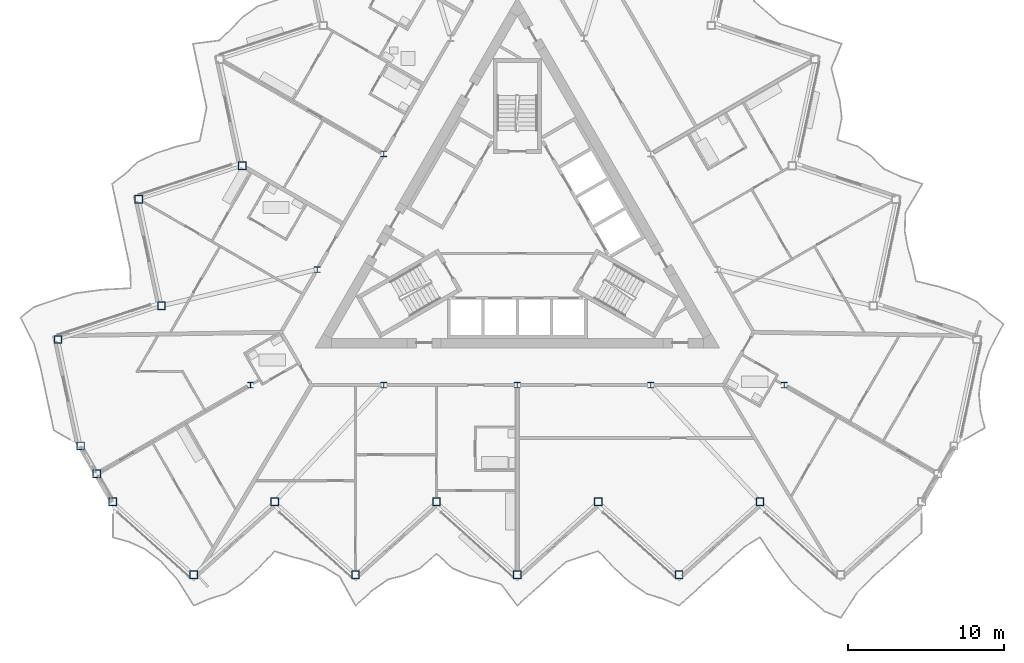
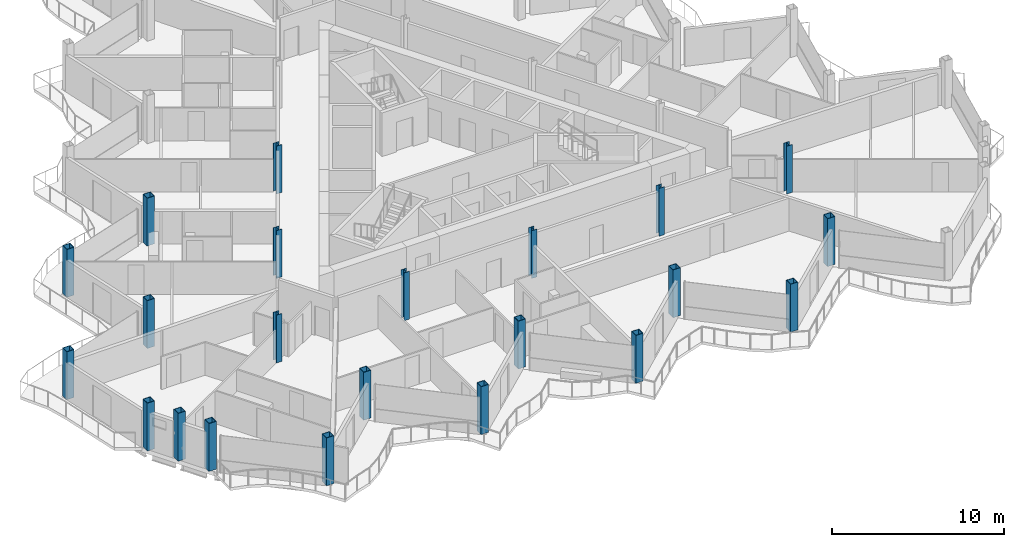
# One storey, part 1 of 26: 22 columns.
"""IFC4 building model written with IfcOpenShell, lengths in metres."""

from ifc_helpers import new_model, si_unit, direction, frame, origin, origin_2d, place, context, subcontext, project, spatial, hollow_rectangle, i_section, extrude, material, material_profile, profile_set, type_object, element, save


model = new_model("IFC4")

# Units and contexts
model_context = context("Model", 3, precision=1e-05, world=origin(), true_north=direction((0.0, 1.0)))
body_context = subcontext(model_context, "Body", "Model", "MODEL_VIEW")
ifc_project = project(units=[si_unit("LENGTHUNIT", "METRE"), si_unit("AREAUNIT", "SQUARE_METRE"), si_unit("VOLUMEUNIT", "CUBIC_METRE"), si_unit("PLANEANGLEUNIT", "RADIAN"), si_unit("MASSUNIT", "GRAM", prefix="KILO")], contexts=[model_context])

# Site, building, storey
site_placement = place(None, origin())
site = spatial("IfcSite", under=ifc_project, at=site_placement, CompositionType="ELEMENT")
building_placement = place(site_placement, origin())
building = spatial("IfcBuilding", under=site, at=building_placement, Name="Cormorant Prow Tower", CompositionType="ELEMENT")
storey_placement = place(building_placement, frame((0.0, 0.0, 384.800048828125)))
storey = spatial("IfcBuildingStorey", under=building, at=storey_placement, Name="L87", CompositionType="ELEMENT", Elevation=384.800048828125)

# Columns
ifc_material_1 = material(Name="Structural steel ASTM A572 Gr 50", Category="steel")
ifc_material_profile_1 = material_profile(ifc_material_1, hollow_rectangle(XDim=0.5, YDim=0.5, WallThickness=0.030029296875, at=origin_2d()), Name="Box 500x500x30")
ifc_profile_set_1 = profile_set([ifc_material_profile_1], Name="Structural steel ASTM A572 Gr 50")
column_type_1 = type_object("IfcColumnType", Name="Perimeter box column 500x500x30", PredefinedType="COLUMN", material=ifc_profile_set_1)
for number, where, z_axis, x_axis, name in (
    (1, (-26.0, -17.40576171875, 0.0), (0.0, 0.0, 1.0), (1.0, 0.0, 0.0), "Perimeter column C7 at S00 L87"),
    (2, (-20.800048828125, -22.087890625, 0.0), (0.0, 0.0, 1.0), (1.0, 0.0, 0.0), "Perimeter column C7 at S01 L87"),
    (3, (-15.60009765625, -17.40576171875, 0.0), (0.0, 0.0, 1.0), (1.0, 0.0, 0.0), "Perimeter column C7 at S02 L87"),
    (4, (-10.39990234375, -22.087890625, 0.0), (0.0, 0.0, 1.0), (1.0, 0.0, 0.0), "Perimeter column C7 at S03 L87"),
    (5, (-5.199951171875, -17.40576171875, 0.0), (0.0, 0.0, 1.0), (1.0, 0.0, 0.0), "Perimeter column C7 at S04 L87"),
    (6, (0.0, -22.087890625, 0.0), (0.0, 0.0, 1.0), (1.0, 0.0, 0.0), "Perimeter column C7 at S05 L87"),
    (7, (5.199951171875, -17.40576171875, 0.0), (0.0, 0.0, 1.0), (1.0, 0.0, 0.0), "Perimeter column C7 at S06 L87"),
    (8, (10.39990234375, -22.087890625, 0.0), (0.0, 0.0, 1.0), (1.0, 0.0, 0.0), "Perimeter column C7 at S07 L87"),
    (9, (15.60009765625, -17.40576171875, 0.0), (0.0, 0.0, 1.0), (1.0, 0.0, 0.0), "Perimeter column C7 at S08 L87"),
    (10, (-17.673828125, 4.199462890625, 0.0), (0.0, 0.0, 1.0), (1.0, 0.0, 0.0), "Perimeter column C7 at WNW06 L87"),
    (11, (-24.32861328125, 2.037353515625, 0.0), (0.0, 0.0, 1.0), (1.0, 0.0, 0.0), "Perimeter column C7 at WNW07 L87"),
    (12, (-22.873779296875, -4.80712890625, 0.0), (0.0, 0.0, 1.0), (1.0, 0.0, 0.0), "Perimeter column C7 at WNW08 L87"),
    (13, (-29.528564453125, -6.969482421875, 0.0), (0.0, 0.0, 1.0), (1.0, 0.0, 0.0), "Perimeter column C7 at WNW09 L87"),
    (14, (-28.07373046875, -13.813720703125, 0.0), (0.0, 0.0, 1.0), (1.0, 0.0, 0.0), "Perimeter column C7 at WSW00 L87"),
    (15, (-27.036865234375, -15.60986328125, 0.0), (0.0, 0.0, 1.0), (1.0, 0.0, 0.0), "Perimeter column C7 at WSW01 L87"),
):
    element("IfcColumn", number, at=place(storey_placement, frame(where, z_axis=z_axis, x_axis=x_axis)), inside=storey, type_object=column_type_1, Name=name, PredefinedType="COLUMN", context=body_context, shape_type="SweptSolid", body=[
        extrude(hollow_rectangle(XDim=0.5, YDim=0.5, WallThickness=0.030029296875, at=origin_2d()), origin(), (0.0, 0.0, 1.0), 3.39990234375),
    ])
ifc_material_2 = material(Name="Structural steel ASTM A992 Gr 50", Category="steel")
ifc_material_profile_2 = material_profile(ifc_material_2, i_section(OverallWidth=0.3740234375, OverallDepth=0.372314453125, WebThickness=0.016357421875, FlangeThickness=0.026123046875, at=origin_2d()), Name="W14x132")
ifc_profile_set_2 = profile_set([ifc_material_profile_2], Name="Structural steel ASTM A992 Gr 50")
column_type_2 = type_object("IfcColumnType", Name="Ring column W14x132", PredefinedType="COLUMN", material=ifc_profile_set_2)
for number, where, z_axis, x_axis, name in (
    (16, (-8.578369140625, 4.952880859375, 0.0), (0.0, 0.0, 1.0), (1.0, 0.0, 0.0), "Ring column 3 L87"),
    (17, (-12.86767578125, -2.476318359375, 0.0), (0.0, 0.0, 1.0), (1.0, 0.0, 0.0), "Ring column 4 L87"),
    (18, (-17.156982421875, -9.905517578125, 0.0), (0.0, 0.0, 1.0), (1.0, 0.0, 0.0), "Ring column 5 L87"),
    (19, (-8.578369140625, -9.905517578125, 0.0), (0.0, 0.0, 1.0), (1.0, 0.0, 0.0), "Ring column 6 L87"),
    (20, (0.0, -9.905517578125, 0.0), (0.0, 0.0, 1.0), (1.0, 0.0, 0.0), "Ring column 7 L87"),
    (21, (8.578369140625, -9.905517578125, 0.0), (0.0, 0.0, 1.0), (1.0, 0.0, 0.0), "Ring column 8 L87"),
    (22, (17.156982421875, -9.905517578125, 0.0), (0.0, 0.0, 1.0), (1.0, 0.0, 0.0), "Ring column 9 L87"),
):
    element("IfcColumn", number, at=place(storey_placement, frame(where, z_axis=z_axis, x_axis=x_axis)), inside=storey, type_object=column_type_2, Name=name, PredefinedType="COLUMN", context=body_context, shape_type="SweptSolid", body=[
        extrude(i_section(OverallWidth=0.3740234375, OverallDepth=0.372314453125, WebThickness=0.016357421875, FlangeThickness=0.026123046875, at=origin_2d()), origin(), (0.0, 0.0, 1.0), 3.39990234375),
    ])

save(model, "model.ifc")
